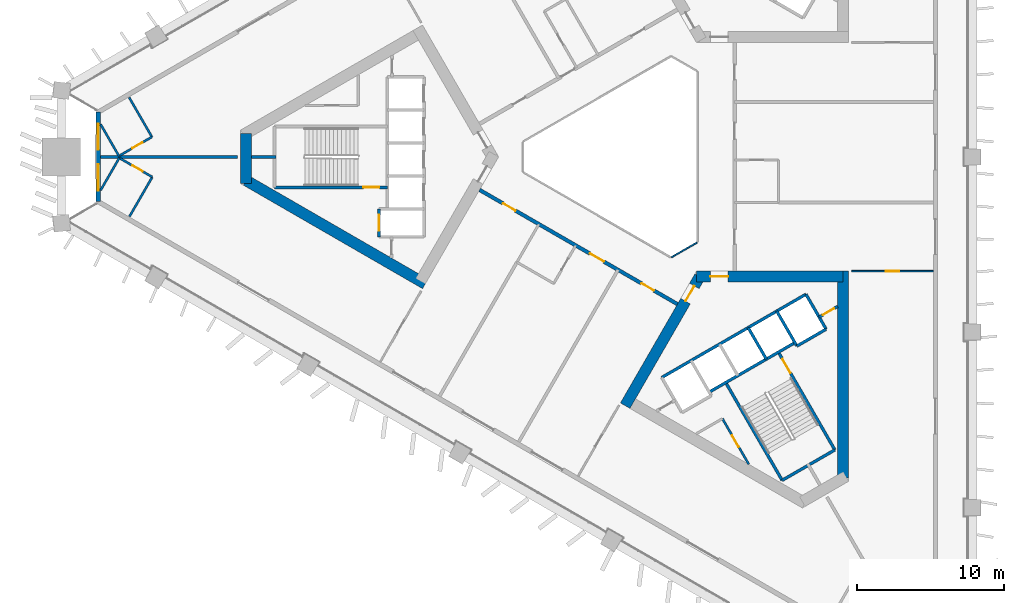
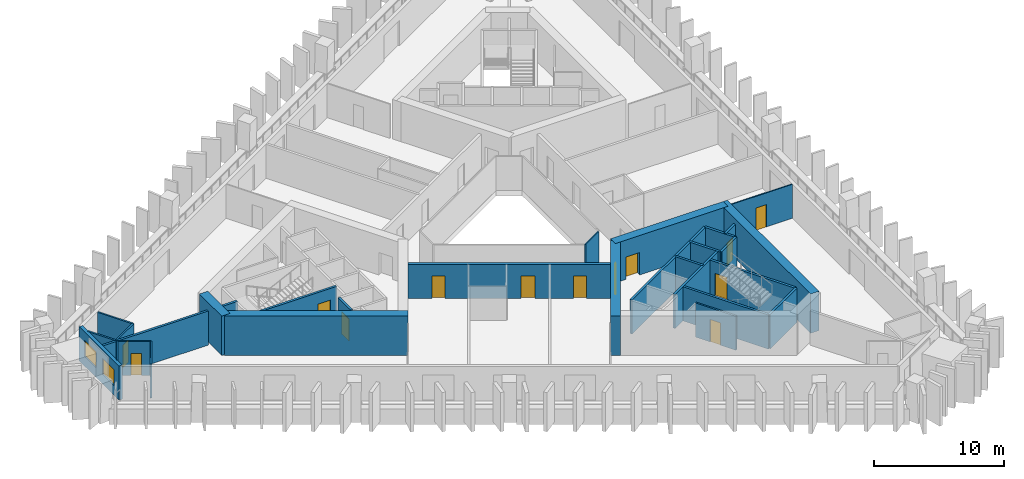
# One storey, part 3 of 10: 30 walls, 13 doors, 2 windows, 15 openings.
"""IFC4 building model written with IfcOpenShell, lengths in metres."""

from ifc_helpers import new_model, si_unit, direction, frame, frame_2d, origin, place, context, subcontext, project, spatial, rectangle, extrude, material, layer, layer_set, type_object, element, fill, save


model = new_model("IFC4")

# Units and contexts
model_context = context("Model", 3, precision=1e-05, world=origin(), true_north=direction((0.0, 1.0)))
body_context = subcontext(model_context, "Body", "Model", "MODEL_VIEW")
ifc_project = project(units=[si_unit("LENGTHUNIT", "METRE"), si_unit("AREAUNIT", "SQUARE_METRE"), si_unit("VOLUMEUNIT", "CUBIC_METRE"), si_unit("PLANEANGLEUNIT", "RADIAN"), si_unit("MASSUNIT", "GRAM", prefix="KILO")], contexts=[model_context])

# Site, building, storey
site_placement = place(None, origin())
site = spatial("IfcSite", under=ifc_project, at=site_placement, CompositionType="ELEMENT")
building_placement = place(site_placement, origin())
building = spatial("IfcBuilding", under=site, at=building_placement, Name="Jabali Bay Hotel Tower and Convention Centre", CompositionType="ELEMENT")
storey_placement = place(building_placement, frame((0.0, 0.0, 64.699951171875)))
storey = spatial("IfcBuildingStorey", under=building, at=storey_placement, Name="L14", CompositionType="ELEMENT", Elevation=64.699951171875)

# Walls
ifc_material_1 = material(Name="Fire-resistant glazing", Category="glass")
ifc_layer_1 = layer(ifc_material_1, 0.10009765625)
ifc_layer_set_1 = layer_set([ifc_layer_1], Name="Fire-resistant glazing")
wall_type_1 = type_object("IfcWallType", Name="Atrium glazed screen 100", PredefinedType="PARTITIONING", material=ifc_layer_set_1)
wall_1_placement = place(storey_placement, frame((77.7978515625, 73.15380859375, 0.0), z_axis=(0.0, 0.0, 1.0), x_axis=(0.866041268327, 0.499972520799, 0.0)))
element("IfcWall", 1, at=wall_1_placement, inside=storey, type_object=wall_type_1, Name="Atrium screen 6 L14", PredefinedType="PARTITIONING", context=body_context, shape_type="SweptSolid", body=[
    extrude(rectangle(XDim=2.0, YDim=0.10009765625, at=frame_2d((1.0, 0.0))), origin(), (0.0, 0.0, 1.0), 3.199951171875),
])
ifc_material_2 = material(Name="Concrete C40", Category="concrete")
ifc_layer_2 = layer(ifc_material_2, 0.199951171875)
ifc_layer_set_2 = layer_set([ifc_layer_2], Name="Concrete C40")
wall_type_2 = type_object("IfcWallType", Name="Core partition wall 200", PredefinedType="PARTITIONING", material=ifc_layer_set_2)
wall_2_placement = place(storey_placement, frame((50.820068359375, 80.0, 0.0), z_axis=(0.0, 0.0, 1.0), x_axis=(-1.0, 0.0, 0.0)))
element("IfcWall", 2, at=wall_2_placement, inside=storey, type_object=wall_type_2, Name="Core wall 0.5 L14", PredefinedType="PARTITIONING", context=body_context, shape_type="SweptSolid", body=[
    extrude(rectangle(XDim=1.673095703125, YDim=0.199951171875, at=frame_2d((0.83642578125, 0.0))), origin(), (0.0, 0.0, 1.0), 3.199951171875),
])

# Wall, opening, door
wall_3_placement = place(storey_placement, frame((87.86474609375, 69.067626953125, 0.0), z_axis=(0.0, 0.0, 1.0), x_axis=(0.865982457891, 0.500074377092, 0.0)))
wall_3 = element("IfcWall", 3, at=wall_3_placement, inside=storey, type_object=wall_type_2, Name="Core wall 2.12 L14", PredefinedType="PARTITIONING", context=body_context, shape_type="SweptSolid", body=[
    extrude(rectangle(XDim=1.461181640625, YDim=0.199951171875, at=frame_2d((0.73046875, 0.0))), origin(), (0.0, 0.0, 1.0), 3.199951171875),
])
opening_1_placement = place(wall_3_placement, frame((0.280517578125, 0.0, 0.0)))
opening_1 = element("IfcOpeningElement", 4, at=opening_1_placement, cuts=wall_3, Name="Opening D380", PredefinedType="OPENING", context=body_context, shape_type="SweptSolid", body=[
    extrude(rectangle(XDim=0.89990234375, YDim=2.10009765625, at=frame_2d((0.449951171875, 1.050048828125))), frame((0.0, 0.1103515625, 0.0), z_axis=(0.0, -1.0, 0.0), x_axis=(1.0, 0.0, 0.0)), (0.0, 0.0, 1.0), 0.220947265625),
])
ifc_material_3 = material(Name="Fire-rated steel door", Category="steel")
door_type_1 = type_object("IfcDoorType", Name="Vestibule fire door 900 x 2100", OperationType="NOTDEFINED", PredefinedType="NOTDEFINED", material=ifc_material_3)
door_1_placement = place(opening_1_placement, origin())
door_1 = element("IfcDoor", 5, at=door_1_placement, inside=storey, type_object=door_type_1, Name="Vestibule fire door D380", OperationType="SINGLE_SWING_LEFT", OverallHeight=2.10009765625, OverallWidth=0.89990234375, PredefinedType="NOTDEFINED", context=body_context, shape_type="SweptSolid", body=[
    extrude(rectangle(XDim=0.89990234375, YDim=2.10009765625, at=frame_2d((0.449951171875, 1.050048828125))), frame((0.0, 0.02490234375, 0.0), z_axis=(0.0, -1.0, 0.0), x_axis=(1.0, 0.0, 0.0)), (0.0, 0.0, 1.0), 0.050048828125),
])
fill(opening_1, door_1)

ifc_material_4 = material(Name="Fire-rated board partition")
ifc_layer_3 = layer(ifc_material_4, 0.14990234375)
ifc_layer_set_3 = layer_set([ifc_layer_3], Name="Fire-rated board partition")
wall_type_3 = type_object("IfcWallType", Name="Core room partition 150", PredefinedType="PARTITIONING", material=ifc_layer_set_3)
wall_4_placement = place(storey_placement, frame((81.268798828125, 62.141845703125, 0.0), z_axis=(0.0, 0.0, 1.0), x_axis=(0.500043557135, -0.866000254601, 0.0)))
wall_4 = element("IfcWall", 6, at=wall_4_placement, inside=storey, type_object=wall_type_3, Name="Core wall 2.1 L14", PredefinedType="PARTITIONING", context=body_context, shape_type="SweptSolid", body=[
    extrude(rectangle(XDim=3.597900390625, YDim=0.14990234375, at=frame_2d((1.798828125, 0.0))), origin(), (0.0, 0.0, 1.0), 3.199951171875),
])
opening_2_placement = place(wall_4_placement, frame((1.321533203125, 0.0, 0.0)))
opening_2 = element("IfcOpeningElement", 7, at=opening_2_placement, cuts=wall_4, Name="Opening D383", PredefinedType="OPENING", context=body_context, shape_type="SweptSolid", body=[
    extrude(rectangle(XDim=0.89990234375, YDim=2.10009765625, at=frame_2d((0.449951171875, 1.050048828125))), frame((0.0, 0.08544921875, 0.0), z_axis=(0.0, -1.0, 0.0), x_axis=(1.0, 0.0, 0.0)), (0.0, 0.0, 1.0), 0.1708984375),
])
door_type_2 = type_object("IfcDoorType", Name="Core room door 900 x 2100", OperationType="NOTDEFINED", PredefinedType="NOTDEFINED", material=ifc_material_3)
door_2_placement = place(opening_2_placement, origin())
door_2 = element("IfcDoor", 8, at=door_2_placement, inside=storey, type_object=door_type_2, Name="Core room door D383", OperationType="SINGLE_SWING_LEFT", OverallHeight=2.10009765625, OverallWidth=0.89990234375, PredefinedType="NOTDEFINED", context=body_context, shape_type="SweptSolid", body=[
    extrude(rectangle(XDim=0.89990234375, YDim=2.10009765625, at=frame_2d((0.449951171875, 1.050048828125))), frame((0.0, 0.02490234375, 0.0), z_axis=(0.0, -1.0, 0.0), x_axis=(1.0, 0.0, 0.0)), (0.0, 0.0, 1.0), 0.050048828125),
])
fill(opening_2, door_2)

ifc_layer_4 = layer(ifc_material_2, 0.199951171875)
ifc_layer_set_4 = layer_set([ifc_layer_4], Name="Concrete C40")
wall_type_4 = type_object("IfcWallType", Name="Core stair wall 200", PredefinedType="SOLIDWALL", material=ifc_layer_set_4)
wall_5_placement = place(storey_placement, frame((58.419921875, 77.925048828125, 0.0), z_axis=(0.0, 0.0, 1.0), x_axis=(-1.0, 0.0, 0.0)))
wall_5 = element("IfcWall", 9, at=wall_5_placement, inside=storey, type_object=wall_type_4, Name="Core wall 0.7 L14", PredefinedType="SOLIDWALL", context=body_context, shape_type="SweptSolid", body=[
    extrude(rectangle(XDim=7.699951171875, YDim=0.199951171875, at=frame_2d((3.85009765625, 0.0))), origin(), (0.0, 0.0, 1.0), 3.199951171875),
])
opening_3_placement = place(wall_5_placement, frame((0.550048828125, 0.0, 0.0)))
opening_3 = element("IfcOpeningElement", 10, at=opening_3_placement, cuts=wall_5, Name="Opening D370", PredefinedType="OPENING", context=body_context, shape_type="SweptSolid", body=[
    extrude(rectangle(XDim=1.10009765625, YDim=2.10009765625, at=frame_2d((0.550048828125, 1.050048828125))), frame((0.0, 0.1103515625, 0.0), z_axis=(0.0, -1.0, 0.0), x_axis=(1.0, 0.0, 0.0)), (0.0, 0.0, 1.0), 0.220947265625),
])
door_type_3 = type_object("IfcDoorType", Name="Stair fire door 1100 x 2100", OperationType="NOTDEFINED", PredefinedType="NOTDEFINED", material=ifc_material_3)
door_3_placement = place(opening_3_placement, origin())
door_3 = element("IfcDoor", 11, at=door_3_placement, inside=storey, type_object=door_type_3, Name="Stair fire door D370", OperationType="SINGLE_SWING_RIGHT", OverallHeight=2.10009765625, OverallWidth=1.10009765625, PredefinedType="NOTDEFINED", context=body_context, shape_type="SweptSolid", body=[
    extrude(rectangle(XDim=1.10009765625, YDim=2.10009765625, at=frame_2d((0.550048828125, 1.050048828125))), frame((0.0, 0.02490234375, 0.0), z_axis=(0.0, -1.0, 0.0), x_axis=(1.0, 0.0, 0.0)), (0.0, 0.0, 1.0), 0.050048828125),
])
fill(opening_3, door_3)

wall_6_placement = place(storey_placement, frame((57.85009765625, 76.449951171875, 0.0), z_axis=(0.0, 0.0, 1.0), x_axis=(0.0, -1.0, 0.0)))
wall_6 = element("IfcWall", 12, at=wall_6_placement, inside=storey, type_object=wall_type_4, Name="Core wall 0.14 L14", PredefinedType="SOLIDWALL", context=body_context, shape_type="SweptSolid", body=[
    extrude(rectangle(XDim=1.89990234375, YDim=0.199951171875, at=frame_2d((0.949951171875, 0.0))), origin(), (0.0, 0.0, 1.0), 3.199951171875),
])
opening_4_placement = place(wall_6_placement, frame((0.39990234375, 0.0, 0.0)))
opening_4 = element("IfcOpeningElement", 13, at=opening_4_placement, cuts=wall_6, Name="Opening LD5-L14", PredefinedType="OPENING", context=body_context, shape_type="SweptSolid", body=[
    extrude(rectangle(XDim=1.10009765625, YDim=2.10009765625, at=frame_2d((0.550048828125, 1.050048828125))), frame((0.0, 0.1103515625, 0.0), z_axis=(0.0, -1.0, 0.0), x_axis=(1.0, 0.0, 0.0)), (0.0, 0.0, 1.0), 0.220947265625),
])
ifc_material_5 = material(Name="Stainless steel landing door", Category="steel")
door_type_4 = type_object("IfcDoorType", Name="Landing door 1100 x 2100", OperationType="NOTDEFINED", PredefinedType="NOTDEFINED", material=ifc_material_5)
door_4_placement = place(opening_4_placement, origin())
door_4 = element("IfcDoor", 14, at=door_4_placement, inside=storey, type_object=door_type_4, Name="Landing doors LD5-L14", OperationType="SLIDING_TO_RIGHT", OverallHeight=2.10009765625, OverallWidth=1.10009765625, PredefinedType="NOTDEFINED", context=body_context, shape_type="SweptSolid", body=[
    extrude(rectangle(XDim=1.10009765625, YDim=2.10009765625, at=frame_2d((0.550048828125, 1.050048828125))), frame((0.0, 0.02490234375, 0.0), z_axis=(0.0, -1.0, 0.0), x_axis=(1.0, 0.0, 0.0)), (0.0, 0.0, 1.0), 0.050048828125),
])
fill(opening_4, door_4)

# Walls
wall_7_placement = place(storey_placement, frame((81.492919921875, 64.603759765625, 0.0), z_axis=(0.0, 0.0, 1.0), x_axis=(0.500006057782, -0.866021906294, 0.0)))
element("IfcWall", 15, at=wall_7_placement, inside=storey, type_object=wall_type_4, Name="Core wall 2.3 L14", PredefinedType="SOLIDWALL", context=body_context, shape_type="SweptSolid", body=[
    extrude(rectangle(XDim=7.7001953125, YDim=0.199951171875, at=frame_2d((3.85009765625, 0.0))), origin(), (0.0, 0.0, 1.0), 3.199951171875),
])
wall_8_placement = place(storey_placement, frame((83.024169921875, 68.3515625, 0.0), z_axis=(0.0, 0.0, 1.0), x_axis=(0.50000366821, -0.866023285932, 0.0)))
element("IfcWall", 16, at=wall_8_placement, inside=storey, type_object=wall_type_4, Name="Core wall 2.6 L14", PredefinedType="SOLIDWALL", context=body_context, shape_type="SweptSolid", body=[
    extrude(rectangle(XDim=2.47998046875, YDim=0.199951171875, at=frame_2d((1.239990234375, 0.0))), origin(), (0.0, 0.0, 1.0), 3.199951171875),
])

# Wall, opening, door
wall_9_placement = place(storey_placement, frame((85.0869140625, 66.6787109375, 0.0), z_axis=(0.0, 0.0, 1.0), x_axis=(0.500019787375, -0.866013979237, 0.0)))
wall_9 = element("IfcWall", 17, at=wall_9_placement, inside=storey, type_object=wall_type_4, Name="Core wall 2.7 L14", PredefinedType="SOLIDWALL", context=body_context, shape_type="SweptSolid", body=[
    extrude(rectangle(XDim=7.699951171875, YDim=0.199951171875, at=frame_2d((3.85009765625, 0.0))), origin(), (0.0, 0.0, 1.0), 3.199951171875),
])
opening_5_placement = place(wall_9_placement, frame((0.550048828125, 0.0, 0.0)))
opening_5 = element("IfcOpeningElement", 18, at=opening_5_placement, cuts=wall_9, Name="Opening D382", PredefinedType="OPENING", context=body_context, shape_type="SweptSolid", body=[
    extrude(rectangle(XDim=1.10009765625, YDim=2.10009765625, at=frame_2d((0.550048828125, 1.050048828125))), frame((0.0, 0.1103515625, 0.0), z_axis=(0.0, -1.0, 0.0), x_axis=(1.0, 0.0, 0.0)), (0.0, 0.0, 1.0), 0.220947265625),
])
door_5_placement = place(opening_5_placement, origin())
door_5 = element("IfcDoor", 19, at=door_5_placement, inside=storey, type_object=door_type_3, Name="Stair fire door D382", OperationType="SINGLE_SWING_RIGHT", OverallHeight=2.10009765625, OverallWidth=1.10009765625, PredefinedType="NOTDEFINED", context=body_context, shape_type="SweptSolid", body=[
    extrude(rectangle(XDim=1.10009765625, YDim=2.10009765625, at=frame_2d((0.550048828125, 1.050048828125))), frame((0.0, 0.02490234375, 0.0), z_axis=(0.0, -1.0, 0.0), x_axis=(1.0, 0.0, 0.0)), (0.0, 0.0, 1.0), 0.050048828125),
])
fill(opening_5, door_5)

# Walls
for number, where, z_axis, x_axis, name in (
    (20, (84.972900390625, 69.4765625, 0.0), (0.0, 0.0, 1.0), (0.499996545922, -0.866027397988, 0.0), "Core wall 2.8 L14"),
    (21, (86.964599609375, 70.62646484375, 0.0), (0.0, 0.0, 1.0), (0.499996545922, -0.866027397988, 0.0), "Core wall 2.9 L14"),
):
    element("IfcWall", number, at=place(storey_placement, frame(where, z_axis=z_axis, x_axis=x_axis)), inside=storey, type_object=wall_type_4, Name=name, PredefinedType="SOLIDWALL", context=body_context, shape_type="SweptSolid", body=[
        extrude(rectangle(XDim=2.75, YDim=0.199951171875, at=frame_2d((1.375, 0.0))), origin(), (0.0, 0.0, 1.0), 3.199951171875),
    ])
wall_10_placement = place(storey_placement, frame((77.13525390625, 64.95166015625, 0.0), z_axis=(0.0, 0.0, 1.0), x_axis=(0.866031916153, 0.499988720078, 0.0)))
element("IfcWall", 22, at=wall_10_placement, inside=storey, type_object=wall_type_4, Name="Core wall 2.10 L14", PredefinedType="SOLIDWALL", context=body_context, shape_type="SweptSolid", body=[
    extrude(rectangle(XDim=11.349853515625, YDim=0.199951171875, at=frame_2d((5.6748046875, 0.0))), origin(), (0.0, 0.0, 1.0), 3.199951171875),
])
wall_11_placement = place(storey_placement, frame((80.3671875, 63.953857421875, 0.0), z_axis=(0.0, 0.0, 1.0), x_axis=(0.866026575979, 0.499997969693, 0.0)))
element("IfcWall", 23, at=wall_11_placement, inside=storey, type_object=wall_type_4, Name="Core wall 2.13 L14", PredefinedType="SOLIDWALL", context=body_context, shape_type="SweptSolid", body=[
    extrude(rectangle(XDim=6.75, YDim=0.199951171875, at=frame_2d((3.375, 0.0))), origin(), (0.0, 0.0, 1.0), 3.199951171875),
])
wall_12_placement = place(storey_placement, frame((86.347900390625, 67.094970703125, 0.0), z_axis=(0.0, 0.0, 1.0), x_axis=(0.86602648383, 0.499998129301, 0.0)))
element("IfcWall", 24, at=wall_12_placement, inside=storey, type_object=wall_type_4, Name="Core wall 2.15 L14", PredefinedType="SOLIDWALL", context=body_context, shape_type="SweptSolid", body=[
    extrude(rectangle(XDim=2.2998046875, YDim=0.199951171875, at=frame_2d((1.14990234375, 0.0))), origin(), (0.0, 0.0, 1.0), 3.199951171875),
])
wall_13_placement = place(storey_placement, frame((85.343017578125, 57.935302734375, 0.0), z_axis=(0.0, 0.0, 1.0), x_axis=(0.866004344652, 0.500036473714, 0.0)))
element("IfcWall", 25, at=wall_13_placement, inside=storey, type_object=wall_type_4, Name="Core wall 2.17 L14", PredefinedType="SOLIDWALL", context=body_context, shape_type="SweptSolid", body=[
    extrude(rectangle(XDim=4.150146484375, YDim=0.199951171875, at=frame_2d((2.0751953125, 0.0))), origin(), (0.0, 0.0, 1.0), 3.199951171875),
])
ifc_material_6 = material(Name="Concrete C60", Category="concrete")
ifc_layer_5 = layer(ifc_material_6, 0.75)
ifc_layer_set_5 = layer_set([ifc_layer_5], Name="Concrete C60")
wall_type_5 = type_object("IfcWallType", Name="Core wall 750", PredefinedType="SHEAR", material=ifc_layer_set_5)
wall_14_placement = place(storey_placement, frame((48.77197265625, 81.606201171875, 0.0), z_axis=(0.0, 0.0, 1.0), x_axis=(0.0, -1.0, 0.0)))
element("IfcWall", 26, at=wall_14_placement, inside=storey, type_object=wall_type_5, Name="Core wall 1.3 L14", PredefinedType="SHEAR", context=body_context, shape_type="SweptSolid", body=[
    extrude(rectangle(XDim=3.428955078125, YDim=0.75, at=frame_2d((1.71435546875, 0.0))), origin(), (0.0, 0.0, 1.0), 3.699951171875),
])
wall_15_placement = place(storey_placement, frame((48.77197265625, 78.393798828125, 0.0), z_axis=(0.0, 0.0, 1.0), x_axis=(0.866028339916, -0.499994914436, 0.0)))
element("IfcWall", 27, at=wall_15_placement, inside=storey, type_object=wall_type_5, Name="Core wall 1.4 L14", PredefinedType="SHEAR", context=body_context, shape_type="SweptSolid", body=[
    extrude(rectangle(XDim=14.116943359375, YDim=0.75, at=frame_2d((7.05859375, 0.0))), origin(), (0.0, 0.0, 1.0), 3.699951171875),
])

# Wall, opening, door
wall_16_placement = place(storey_placement, frame((79.716552734375, 71.830810546875, 0.0), z_axis=(0.0, 0.0, 1.0), x_axis=(-0.499996230114, -0.866027580318, 0.0)))
wall_16 = element("IfcWall", 28, at=wall_16_placement, inside=storey, type_object=wall_type_5, Name="Core wall 3.1 L14", PredefinedType="SHEAR", context=body_context, shape_type="SweptSolid", body=[
    extrude(rectangle(XDim=10.16357421875, YDim=0.75, at=frame_2d((5.081787109375, 0.0))), origin(), (0.0, 0.0, 1.0), 3.699951171875),
])
opening_6_placement = place(wall_16_placement, frame((0.7333984375, 0.0, 0.0)))
opening_6 = element("IfcOpeningElement", 29, at=opening_6_placement, cuts=wall_16, Name="Opening D378", PredefinedType="OPENING", context=body_context, shape_type="SweptSolid", body=[
    extrude(rectangle(XDim=1.199951171875, YDim=2.10009765625, at=frame_2d((0.60009765625, 1.050048828125))), frame((0.0, 0.385498046875, 0.0), z_axis=(0.0, -1.0, 0.0), x_axis=(1.0, 0.0, 0.0)), (0.0, 0.0, 1.0), 0.77099609375),
])
door_type_5 = type_object("IfcDoorType", Name="Corridor end fire door 1200 x 2100", OperationType="NOTDEFINED", PredefinedType="NOTDEFINED", material=ifc_material_3)
door_6_placement = place(opening_6_placement, origin())
door_6 = element("IfcDoor", 30, at=door_6_placement, inside=storey, type_object=door_type_5, Name="Corridor end fire door D378", OperationType="SINGLE_SWING_RIGHT", OverallHeight=2.10009765625, OverallWidth=1.199951171875, PredefinedType="NOTDEFINED", context=body_context, shape_type="SweptSolid", body=[
    extrude(rectangle(XDim=1.199951171875, YDim=2.10009765625, at=frame_2d((0.60009765625, 1.050048828125))), frame((0.0, 0.02490234375, 0.0), z_axis=(0.0, -1.0, 0.0), x_axis=(1.0, 0.0, 0.0)), (0.0, 0.0, 1.0), 0.050048828125),
])
fill(opening_6, door_6)

# Wall
wall_17_placement = place(storey_placement, frame((89.5048828125, 58.0888671875, 0.0), z_axis=(0.0, 0.0, 1.0), x_axis=(0.0, 1.0, 0.0)))
element("IfcWall", 31, at=wall_17_placement, inside=storey, type_object=wall_type_5, Name="Core wall 3.4 L14", PredefinedType="SHEAR", context=body_context, shape_type="SweptSolid", body=[
    extrude(rectangle(XDim=14.116943359375, YDim=0.75, at=frame_2d((7.05859375, 0.0))), origin(), (0.0, 0.0, 1.0), 3.699951171875),
])

# Wall, opening, door
wall_18_placement = place(storey_placement, frame((89.5048828125, 71.830810546875, 0.0), z_axis=(0.0, 0.0, 1.0), x_axis=(-1.0, 0.0, 0.0)))
wall_18 = element("IfcWall", 32, at=wall_18_placement, inside=storey, type_object=wall_type_5, Name="Core wall 3.5 L14", PredefinedType="SHEAR", context=body_context, shape_type="SweptSolid", body=[
    extrude(rectangle(XDim=10.0048828125, YDim=0.75, at=frame_2d((5.00244140625, 0.0))), origin(), (0.0, 0.0, 1.0), 3.699951171875),
])
opening_7_placement = place(wall_18_placement, frame((7.85498046875, 0.0, 0.0)))
opening_7 = element("IfcOpeningElement", 33, at=opening_7_placement, cuts=wall_18, Name="Opening D379", PredefinedType="OPENING", context=body_context, shape_type="SweptSolid", body=[
    extrude(rectangle(XDim=1.199951171875, YDim=2.10009765625, at=frame_2d((0.60009765625, 1.050048828125))), frame((0.0, 0.385498046875, 0.0), z_axis=(0.0, -1.0, 0.0), x_axis=(1.0, 0.0, 0.0)), (0.0, 0.0, 1.0), 0.77099609375),
])
door_7_placement = place(opening_7_placement, origin())
door_7 = element("IfcDoor", 34, at=door_7_placement, inside=storey, type_object=door_type_5, Name="Corridor end fire door D379", OperationType="SINGLE_SWING_LEFT", OverallHeight=2.10009765625, OverallWidth=1.199951171875, PredefinedType="NOTDEFINED", context=body_context, shape_type="SweptSolid", body=[
    extrude(rectangle(XDim=1.199951171875, YDim=2.10009765625, at=frame_2d((0.60009765625, 1.050048828125))), frame((0.0, 0.02490234375, 0.0), z_axis=(0.0, -1.0, 0.0), x_axis=(1.0, 0.0, 0.0)), (0.0, 0.0, 1.0), 0.050048828125),
])
fill(opening_7, door_7)

# Wall, openings, doors
ifc_layer_6 = layer(ifc_material_6, 0.25)
ifc_layer_set_6 = layer_set([ifc_layer_6], Name="Concrete C60")
wall_type_6 = type_object("IfcWallType", Name="Corridor wall 250", PredefinedType="SHEAR", material=ifc_layer_set_6)
wall_19_placement = place(storey_placement, frame((64.699951171875, 77.748291015625, 0.0), z_axis=(0.0, 0.0, 1.0), x_axis=(0.866026492143, -0.499998114903, 0.0)))
wall_19 = element("IfcWall", 35, at=wall_19_placement, inside=storey, type_object=wall_type_6, Name="Corridor wall 3 L14", PredefinedType="SHEAR", context=body_context, shape_type="SweptSolid", body=[
    extrude(rectangle(XDim=15.58837890625, YDim=0.25, at=frame_2d((7.794189453125, 0.0))), origin(), (0.0, 0.0, 1.0), 3.199951171875),
])
opening_8_placement = place(wall_19_placement, frame((1.83837890625, 0.0, 0.0)))
opening_8 = element("IfcOpeningElement", 36, at=opening_8_placement, cuts=wall_19, Name="Opening 1417", PredefinedType="OPENING", context=body_context, shape_type="SweptSolid", body=[
    extrude(rectangle(XDim=1.0, YDim=2.10009765625, at=frame_2d((0.5, 1.050048828125))), frame((0.0, 0.135498046875, 0.0), z_axis=(0.0, -1.0, 0.0), x_axis=(1.0, 0.0, 0.0)), (0.0, 0.0, 1.0), 0.27099609375),
])
opening_9_placement = place(wall_19_placement, frame((8.694091796875, 0.0, 0.0)))
opening_9 = element("IfcOpeningElement", 37, at=opening_9_placement, cuts=wall_19, Name="Opening 1421", PredefinedType="OPENING", context=body_context, shape_type="SweptSolid", body=[
    extrude(rectangle(XDim=1.10009765625, YDim=2.10009765625, at=frame_2d((0.550048828125, 1.050048828125))), frame((0.0, 0.135498046875, 0.0), z_axis=(0.0, -1.0, 0.0), x_axis=(1.0, 0.0, 0.0)), (0.0, 0.0, 1.0), 0.27099609375),
])
opening_10_placement = place(wall_19_placement, frame((12.750244140625, 0.0, 0.0)))
opening_10 = element("IfcOpeningElement", 38, at=opening_10_placement, cuts=wall_19, Name="Opening 1422", PredefinedType="OPENING", context=body_context, shape_type="SweptSolid", body=[
    extrude(rectangle(XDim=1.0, YDim=2.10009765625, at=frame_2d((0.5, 1.050048828125))), frame((0.0, 0.135498046875, 0.0), z_axis=(0.0, -1.0, 0.0), x_axis=(1.0, 0.0, 0.0)), (0.0, 0.0, 1.0), 0.27099609375),
])
ifc_material_7 = material(Name="Timber", Category="wood")
door_type_6 = type_object("IfcDoorType", Name="Accessible guest room door 1100 x 2100", OperationType="NOTDEFINED", PredefinedType="NOTDEFINED", material=ifc_material_7)
door_8_placement = place(opening_9_placement, origin())
door_8 = element("IfcDoor", 39, at=door_8_placement, inside=storey, type_object=door_type_6, Name="Door 1421", OperationType="SINGLE_SWING_RIGHT", OverallHeight=2.10009765625, OverallWidth=1.10009765625, PredefinedType="NOTDEFINED", context=body_context, shape_type="SweptSolid", body=[
    extrude(rectangle(XDim=1.10009765625, YDim=2.10009765625, at=frame_2d((0.550048828125, 1.050048828125))), frame((0.0, 0.02490234375, 0.0), z_axis=(0.0, -1.0, 0.0), x_axis=(1.0, 0.0, 0.0)), (0.0, 0.0, 1.0), 0.050048828125),
])
fill(opening_9, door_8)
door_type_7 = type_object("IfcDoorType", Name="Guest room door 1000 x 2100", OperationType="NOTDEFINED", PredefinedType="NOTDEFINED", material=ifc_material_7)
door_9_placement = place(opening_8_placement, origin())
door_9 = element("IfcDoor", 40, at=door_9_placement, inside=storey, type_object=door_type_7, Name="Door 1417", OperationType="SINGLE_SWING_LEFT", OverallHeight=2.10009765625, OverallWidth=1.0, PredefinedType="NOTDEFINED", context=body_context, shape_type="SweptSolid", body=[
    extrude(rectangle(XDim=1.0, YDim=2.10009765625, at=frame_2d((0.5, 1.050048828125))), frame((0.0, 0.02490234375, 0.0), z_axis=(0.0, -1.0, 0.0), x_axis=(1.0, 0.0, 0.0)), (0.0, 0.0, 1.0), 0.050048828125),
])
fill(opening_8, door_9)
door_10_placement = place(opening_10_placement, origin())
door_10 = element("IfcDoor", 41, at=door_10_placement, inside=storey, type_object=door_type_7, Name="Door 1422", OperationType="SINGLE_SWING_RIGHT", OverallHeight=2.10009765625, OverallWidth=1.0, PredefinedType="NOTDEFINED", context=body_context, shape_type="SweptSolid", body=[
    extrude(rectangle(XDim=1.0, YDim=2.10009765625, at=frame_2d((0.5, 1.050048828125))), frame((0.0, 0.02490234375, 0.0), z_axis=(0.0, -1.0, 0.0), x_axis=(1.0, 0.0, 0.0)), (0.0, 0.0, 1.0), 0.050048828125),
])
fill(opening_10, door_10)

# Wall, openings, windows
ifc_layer_7 = layer(ifc_material_2, 0.300048828125)
ifc_layer_set_7 = layer_set([ifc_layer_7], Name="Concrete C40")
wall_type_7 = type_object("IfcWallType", Name="External wall 300", PredefinedType="SOLIDWALL", material=ifc_layer_set_7)
wall_20_placement = place(storey_placement, frame((38.701416015625, 76.939697265625, 0.0), z_axis=(0.0, 0.0, 1.0), x_axis=(0.0, 1.0, 0.0)))
wall_20 = element("IfcWall", 42, at=wall_20_placement, inside=storey, type_object=wall_type_7, Name="External wall west chamfer L14", PredefinedType="SOLIDWALL", context=body_context, shape_type="SweptSolid", body=[
    extrude(rectangle(XDim=6.12060546875, YDim=0.300048828125, at=frame_2d((3.060302734375, 0.0))), origin(), (0.0, 0.0, 1.0), 3.199951171875),
])
opening_11_placement = place(wall_20_placement, frame((3.531982421875, 0.0, 0.89990234375)))
opening_11 = element("IfcOpeningElement", 43, at=opening_11_placement, cuts=wall_20, Name="Opening W1", PredefinedType="OPENING", context=body_context, shape_type="SweptSolid", body=[
    extrude(rectangle(XDim=1.800048828125, YDim=1.5, at=frame_2d((0.89990234375, 0.75))), frame((0.0, 0.16064453125, 0.0), z_axis=(0.0, -1.0, 0.0), x_axis=(1.0, 0.0, 0.0)), (0.0, 0.0, 1.0), 0.321044921875),
])
opening_12_placement = place(wall_20_placement, frame((0.759521484375, 0.0, 0.89990234375)))
opening_12 = element("IfcOpeningElement", 44, at=opening_12_placement, cuts=wall_20, Name="Opening W1", PredefinedType="OPENING", context=body_context, shape_type="SweptSolid", body=[
    extrude(rectangle(XDim=1.800048828125, YDim=1.5, at=frame_2d((0.89990234375, 0.75))), frame((0.0, 0.16064453125, 0.0), z_axis=(0.0, -1.0, 0.0), x_axis=(1.0, 0.0, 0.0)), (0.0, 0.0, 1.0), 0.321044921875),
])
ifc_material_8 = material(Name="Glass", Category="glass")
window_type = type_object("IfcWindowType", Name="Window 1800 x 1500", PartitioningType="SINGLE_PANEL", PredefinedType="WINDOW", material=ifc_material_8)
window_1_placement = place(opening_11_placement, origin())
window_1 = element("IfcWindow", 45, at=window_1_placement, inside=storey, type_object=window_type, Name="Window 1406", OverallHeight=1.5, OverallWidth=1.800048828125, PartitioningType="SINGLE_PANEL", PredefinedType="WINDOW", context=body_context, shape_type="SweptSolid", body=[
    extrude(rectangle(XDim=1.800048828125, YDim=1.5, at=frame_2d((0.89990234375, 0.75))), frame((0.0, 0.030029296875, 0.0), z_axis=(0.0, -1.0, 0.0), x_axis=(1.0, 0.0, 0.0)), (0.0, 0.0, 1.0), 0.06005859375),
])
fill(opening_11, window_1)
window_2_placement = place(opening_12_placement, origin())
window_2 = element("IfcWindow", 46, at=window_2_placement, inside=storey, type_object=window_type, Name="Window 1407", OverallHeight=1.5, OverallWidth=1.800048828125, PartitioningType="SINGLE_PANEL", PredefinedType="WINDOW", context=body_context, shape_type="SweptSolid", body=[
    extrude(rectangle(XDim=1.800048828125, YDim=1.5, at=frame_2d((0.89990234375, 0.75))), frame((0.0, 0.030029296875, 0.0), z_axis=(0.0, -1.0, 0.0), x_axis=(1.0, 0.0, 0.0)), (0.0, 0.0, 1.0), 0.06005859375),
])
fill(opening_12, window_2)

# Wall, opening, door
ifc_material_9 = material(Name="Plasterboard on steel stud", Category="steel")
ifc_layer_8 = layer(ifc_material_9, 0.10009765625)
ifc_layer_set_8 = layer_set([ifc_layer_8], Name="Plasterboard on steel stud")
wall_type_8 = type_object("IfcWallType", Name="Partition 100 unit", PredefinedType="PARTITIONING", material=ifc_layer_set_8)
wall_21_placement = place(storey_placement, frame((90.0791015625, 72.205810546875, 0.0), z_axis=(0.0, 0.0, 1.0), x_axis=(1.0, 0.0, 0.0)))
wall_21 = element("IfcWall", 47, at=wall_21_placement, inside=storey, type_object=wall_type_8, Name="Partition P02 L14 001", PredefinedType="PARTITIONING", context=body_context, shape_type="SweptSolid", body=[
    extrude(rectangle(XDim=5.5712890625, YDim=0.10009765625, at=frame_2d((2.78564453125, 0.0))), origin(), (0.0, 0.0, 1.0), 3.199951171875),
])
opening_13_placement = place(wall_21_placement, frame((2.3359375, 0.0, 0.0)))
opening_13 = element("IfcOpeningElement", 48, at=opening_13_placement, cuts=wall_21, Name="Opening 1402", PredefinedType="OPENING", context=body_context, shape_type="SweptSolid", body=[
    extrude(rectangle(XDim=0.89990234375, YDim=2.10009765625, at=frame_2d((0.449951171875, 1.050048828125))), frame((0.0, 0.060546875, 0.0), z_axis=(0.0, -1.0, 0.0), x_axis=(1.0, 0.0, 0.0)), (0.0, 0.0, 1.0), 0.12109375),
])
door_type_8 = type_object("IfcDoorType", Name="Internal door 900 x 2100", OperationType="NOTDEFINED", PredefinedType="NOTDEFINED", material=ifc_material_7)
door_11_placement = place(opening_13_placement, origin())
door_11 = element("IfcDoor", 49, at=door_11_placement, inside=storey, type_object=door_type_8, Name="Door 1402", OperationType="SINGLE_SWING_RIGHT", OverallHeight=2.10009765625, OverallWidth=0.89990234375, PredefinedType="NOTDEFINED", context=body_context, shape_type="SweptSolid", body=[
    extrude(rectangle(XDim=0.89990234375, YDim=2.10009765625, at=frame_2d((0.449951171875, 1.050048828125))), frame((0.0, 0.02490234375, 0.0), z_axis=(0.0, -1.0, 0.0), x_axis=(1.0, 0.0, 0.0)), (0.0, 0.0, 1.0), 0.050048828125),
])
fill(opening_13, door_11)

# Wall
ifc_layer_9 = layer(ifc_material_9, 0.14990234375)
ifc_layer_set_9 = layer_set([ifc_layer_9], Name="Plasterboard on steel stud")
wall_type_9 = type_object("IfcWallType", Name="Partition 150 wet", PredefinedType="PARTITIONING", material=ifc_layer_set_9)
wall_22_placement = place(storey_placement, frame((40.798095703125, 84.05126953125, 0.0), z_axis=(0.0, 0.0, 1.0), x_axis=(0.49992418947, -0.86606916859, 0.0)))
element("IfcWall", 50, at=wall_22_placement, inside=storey, type_object=wall_type_9, Name="Partition P03 L14 026", PredefinedType="PARTITIONING", context=body_context, shape_type="SweptSolid", body=[
    extrude(rectangle(XDim=3.10791015625, YDim=0.14990234375, at=frame_2d((1.553955078125, 0.0))), origin(), (0.0, 0.0, 1.0), 3.199951171875),
])

# Wall, opening, door
wall_23_placement = place(storey_placement, frame((42.351806640625, 81.359619140625, 0.0), z_axis=(0.0, 0.0, 1.0), x_axis=(-0.865997922154, -0.500047596559, 0.0)))
wall_23 = element("IfcWall", 51, at=wall_23_placement, inside=storey, type_object=wall_type_9, Name="Partition P03 L14 027", PredefinedType="PARTITIONING", context=body_context, shape_type="SweptSolid", body=[
    extrude(rectangle(XDim=2.599853515625, YDim=0.14990234375, at=frame_2d((1.2998046875, 0.0))), origin(), (0.0, 0.0, 1.0), 3.199951171875),
])
opening_14_placement = place(wall_23_placement, frame((0.75, 0.0, 0.0)))
opening_14 = element("IfcOpeningElement", 52, at=opening_14_placement, cuts=wall_23, Name="Opening 1416", PredefinedType="OPENING", context=body_context, shape_type="SweptSolid", body=[
    extrude(rectangle(XDim=0.800048828125, YDim=2.10009765625, at=frame_2d((0.39990234375, 1.050048828125))), frame((0.0, 0.08544921875, 0.0), z_axis=(0.0, -1.0, 0.0), x_axis=(1.0, 0.0, 0.0)), (0.0, 0.0, 1.0), 0.1708984375),
])
door_type_9 = type_object("IfcDoorType", Name="En-suite door 800 x 2100", OperationType="NOTDEFINED", PredefinedType="NOTDEFINED", material=ifc_material_7)
door_12_placement = place(opening_14_placement, origin())
door_12 = element("IfcDoor", 53, at=door_12_placement, inside=storey, type_object=door_type_9, Name="Door 1416", OperationType="SINGLE_SWING_LEFT", OverallHeight=2.10009765625, OverallWidth=0.800048828125, PredefinedType="NOTDEFINED", context=body_context, shape_type="SweptSolid", body=[
    extrude(rectangle(XDim=0.800048828125, YDim=2.10009765625, at=frame_2d((0.39990234375, 1.050048828125))), frame((0.0, 0.02490234375, 0.0), z_axis=(0.0, -1.0, 0.0), x_axis=(1.0, 0.0, 0.0)), (0.0, 0.0, 1.0), 0.050048828125),
])
fill(opening_14, door_12)

# Walls
wall_24_placement = place(storey_placement, frame((40.100341796875, 80.0595703125, 0.0), z_axis=(0.0, 0.0, 1.0), x_axis=(-0.499973274517, 0.866040833199, 0.0)))
element("IfcWall", 54, at=wall_24_placement, inside=storey, type_object=wall_type_9, Name="Partition P03 L14 028", PredefinedType="PARTITIONING", context=body_context, shape_type="SweptSolid", body=[
    extrude(rectangle(XDim=2.499755859375, YDim=0.14990234375, at=frame_2d((1.25, 0.0))), origin(), (0.0, 0.0, 1.0), 3.199951171875),
])
wall_25_placement = place(storey_placement, frame((38.8505859375, 77.7177734375, 0.0), z_axis=(0.0, 0.0, 1.0), x_axis=(0.499960079661, 0.866048450576, 0.0)))
element("IfcWall", 55, at=wall_25_placement, inside=storey, type_object=wall_type_9, Name="Partition P03 L14 033", PredefinedType="PARTITIONING", context=body_context, shape_type="SweptSolid", body=[
    extrude(rectangle(XDim=2.549560546875, YDim=0.14990234375, at=frame_2d((1.27490234375, 0.0))), origin(), (0.0, 0.0, 1.0), 3.199951171875),
])

# Wall, opening, door
wall_26_placement = place(storey_placement, frame((40.125244140625, 79.92578125, 0.0), z_axis=(0.0, 0.0, 1.0), x_axis=(0.866062058628, -0.499936506574, 0.0)))
wall_26 = element("IfcWall", 56, at=wall_26_placement, inside=storey, type_object=wall_type_9, Name="Partition P03 L14 034", PredefinedType="PARTITIONING", context=body_context, shape_type="SweptSolid", body=[
    extrude(rectangle(XDim=2.599853515625, YDim=0.14990234375, at=frame_2d((1.2998046875, 0.0))), origin(), (0.0, 0.0, 1.0), 3.199951171875),
])
opening_15_placement = place(wall_26_placement, frame((1.050048828125, 0.0, 0.0)))
opening_15 = element("IfcOpeningElement", 57, at=opening_15_placement, cuts=wall_26, Name="Opening 1419", PredefinedType="OPENING", context=body_context, shape_type="SweptSolid", body=[
    extrude(rectangle(XDim=0.800048828125, YDim=2.10009765625, at=frame_2d((0.39990234375, 1.050048828125))), frame((0.0, 0.08544921875, 0.0), z_axis=(0.0, -1.0, 0.0), x_axis=(1.0, 0.0, 0.0)), (0.0, 0.0, 1.0), 0.1708984375),
])
door_13_placement = place(opening_15_placement, origin())
door_13 = element("IfcDoor", 58, at=door_13_placement, inside=storey, type_object=door_type_9, Name="Door 1419", OperationType="SINGLE_SWING_RIGHT", OverallHeight=2.10009765625, OverallWidth=0.800048828125, PredefinedType="NOTDEFINED", context=body_context, shape_type="SweptSolid", body=[
    extrude(rectangle(XDim=0.800048828125, YDim=2.10009765625, at=frame_2d((0.39990234375, 1.050048828125))), frame((0.0, 0.02490234375, 0.0), z_axis=(0.0, -1.0, 0.0), x_axis=(1.0, 0.0, 0.0)), (0.0, 0.0, 1.0), 0.050048828125),
])
fill(opening_15, door_13)

# Walls
wall_27_placement = place(storey_placement, frame((42.376953125, 78.6259765625, 0.0), z_axis=(0.0, 0.0, 1.0), x_axis=(-0.499983108224, -0.866035156036, 0.0)))
element("IfcWall", 59, at=wall_27_placement, inside=storey, type_object=wall_type_9, Name="Partition P03 L14 035", PredefinedType="PARTITIONING", context=body_context, shape_type="SweptSolid", body=[
    extrude(rectangle(XDim=3.10791015625, YDim=0.14990234375, at=frame_2d((1.553955078125, 0.0))), origin(), (0.0, 0.0, 1.0), 3.199951171875),
])
ifc_layer_10 = layer(ifc_material_9, 0.199951171875)
ifc_layer_set_10 = layer_set([ifc_layer_10], Name="Plasterboard on steel stud")
wall_type_10 = type_object("IfcWallType", Name="Partition 200 party", PredefinedType="PARTITIONING", material=ifc_layer_set_10)
wall_28_placement = place(storey_placement, frame((38.8505859375, 80.0, 0.0), z_axis=(0.0, 0.0, 1.0), x_axis=(1.0, 0.0, 0.0)))
element("IfcWall", 60, at=wall_28_placement, inside=storey, type_object=wall_type_10, Name="Partition P01 L14 029", PredefinedType="PARTITIONING", context=body_context, shape_type="SweptSolid", body=[
    extrude(rectangle(XDim=9.347412109375, YDim=0.199951171875, at=frame_2d((4.673828125, 0.0))), origin(), (0.0, 0.0, 1.0), 3.199951171875),
])

save(model, "model.ifc")
